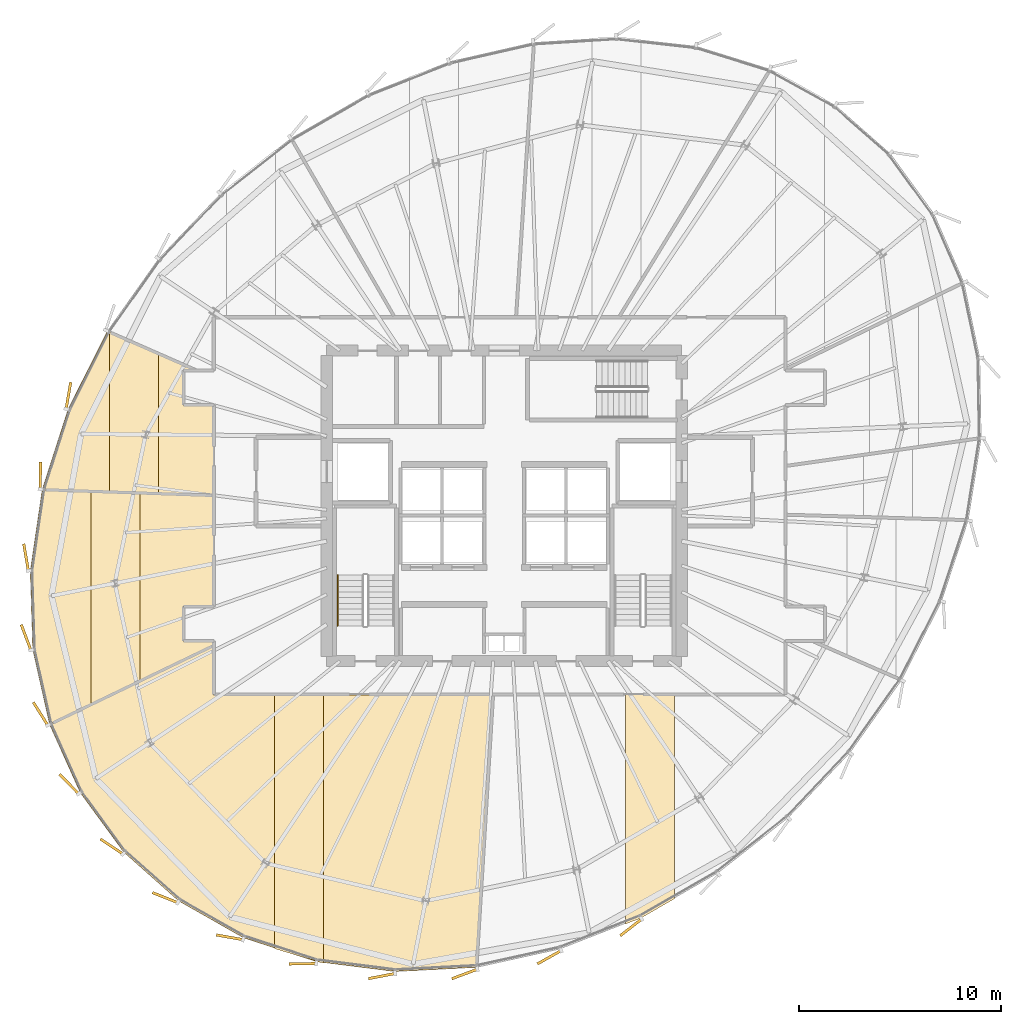
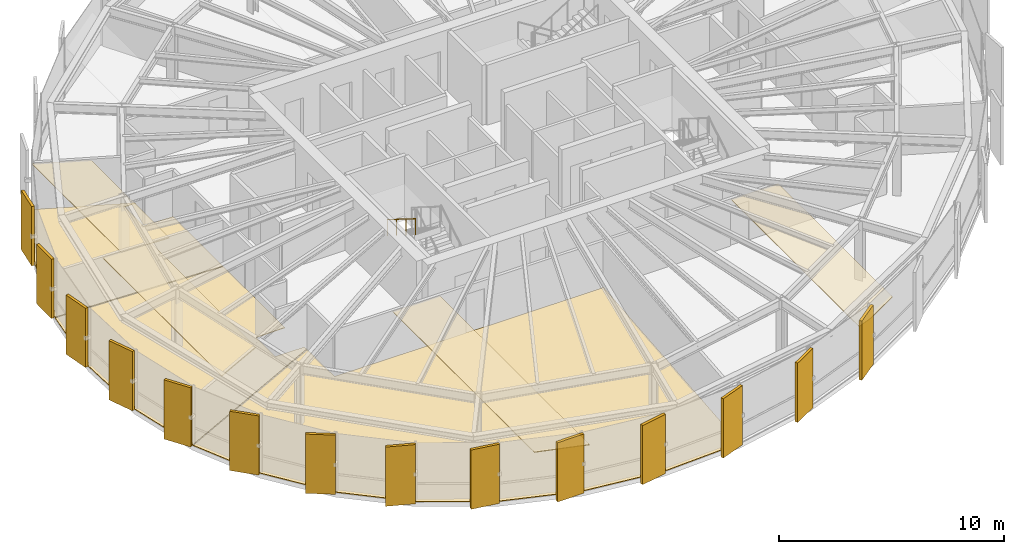
# One storey, part 33 of 35: 21 coverings, 1 railing.
"""IFC4 building model written with IfcOpenShell, lengths in metres."""

from ifc_helpers import new_model, si_unit, direction, frame, origin, origin_2d, place, context, subcontext, project, spatial, polyline, rectangle, circle, outline, extrude, source, transform, mapped, material, layer, layer_set, type_object, element, save


model = new_model("IFC4")

# Units and contexts
model_context = context("Model", 3, precision=1e-05, world=origin(), true_north=direction((0.0, 1.0)))
body_context = subcontext(model_context, "Body", "Model", "MODEL_VIEW")
ifc_project = project(units=[si_unit("LENGTHUNIT", "METRE"), si_unit("AREAUNIT", "SQUARE_METRE"), si_unit("VOLUMEUNIT", "CUBIC_METRE"), si_unit("PLANEANGLEUNIT", "RADIAN"), si_unit("MASSUNIT", "GRAM", prefix="KILO"), si_unit("THERMODYNAMICTEMPERATUREUNIT", "KELVIN")], contexts=[model_context])

# Site, building, storey
site_placement = place(None, origin())
site = spatial("IfcSite", under=ifc_project, at=site_placement, CompositionType="ELEMENT")
building_placement = place(site_placement, origin())
building = spatial("IfcBuilding", under=site, at=building_placement, Name="Kethvar Cultural Tower", CompositionType="ELEMENT")
storey_placement = place(building_placement, frame((0.0, 0.0, 204.39990234375)))
storey = spatial("IfcBuildingStorey", under=building, at=storey_placement, Name="L53", CompositionType="ELEMENT", Elevation=204.39990234375)

# Coverings
ifc_material_1 = material(Name="Acoustic Mineral Fibre Ceiling")
ifc_layer_1 = layer(ifc_material_1, 0.0400390625, Name="Acoustic Mineral Fibre Ceiling")
ifc_layer_set_1 = layer_set([ifc_layer_1], Name="Acoustic Mineral Fibre Ceiling (40 mm)")
covering_type_1 = type_object("IfcCoveringType", Name="CV-ACOUSTIC-CEIL", PredefinedType="CEILING", material=ifc_layer_set_1)
covering_1_placement = place(storey_placement, frame((0.0, 0.0, 2.4501953125)))
element("IfcCovering", 1, at=covering_1_placement, inside=storey, type_object=covering_type_1, Name="L53 Room 01 Acoustic Ceiling Panel", PredefinedType="CEILING", context=body_context, shape_type="SweptSolid", body=[
    extrude(outline(polyline([(37.837890625, 5.123291015625), (35.407958984375, 5.84619140625), (35.407958984375, 18.469970703125), (37.837890625, 18.469970703125), (37.837890625, 5.123291015625)])), origin(), (0.0, 0.0, 1.0), 0.039794921875),
])
covering_2_placement = place(storey_placement, frame((0.0, 0.0, 2.4501953125)))
element("IfcCovering", 2, at=covering_2_placement, inside=storey, type_object=covering_type_1, Name="L53 Room 02 Acoustic Ceiling Panel", PredefinedType="CEILING", context=body_context, shape_type="SweptSolid", body=[
    extrude(outline(polyline([(53.585693359375, 7.3662109375), (52.813720703125, 7.063720703125), (52.813720703125, 18.469970703125), (55.243896484375, 18.469970703125), (55.243896484375, 8.320068359375), (53.585693359375, 7.3662109375)])), origin(), (0.0, 0.0, 1.0), 0.039794921875),
])
covering_3_placement = place(storey_placement, frame((0.0, 0.0, 2.4501953125)))
element("IfcCovering", 3, at=covering_3_placement, inside=storey, type_object=covering_type_1, Name="L53 Room 10 Acoustic Ceiling Panel", PredefinedType="CEILING", context=body_context, shape_type="SweptSolid", body=[
    extrude(outline(polyline([(29.658447265625, 35.36767578125), (29.658447265625, 28.388427734375), (27.228515625, 28.474609375), (27.228515625, 36.4375), (29.658447265625, 35.36767578125)])), origin(), (0.0, 0.0, 1.0), 0.039794921875),
])
covering_4_placement = place(storey_placement, frame((0.0, 0.0, 2.4501953125)))
element("IfcCovering", 4, at=covering_4_placement, inside=storey, type_object=covering_type_1, Name="L53 Room 11 Acoustic Ceiling Panel", PredefinedType="CEILING", context=body_context, shape_type="SweptSolid", body=[
    extrude(outline(polyline([(28.7421875, 28.4609375), (28.7421875, 19.092529296875), (26.312255859375, 17.923583984375), (26.312255859375, 28.547119140625), (28.7421875, 28.4609375)])), origin(), (0.0, 0.0, 1.0), 0.039794921875),
])
ifc_material_2 = material(Name="Honed Warm Limestone", Category="masonry")
ifc_layer_2 = layer(ifc_material_2, 0.030029296875, Name="Honed Warm Limestone", Category="masonry")
ifc_layer_set_2 = layer_set([ifc_layer_2], Name="Honed Warm Limestone (30 mm)")
covering_type_2 = type_object("IfcCoveringType", Name="CV-STONE-FLOOR", PredefinedType="FLOORING", material=ifc_layer_set_2)
covering_5_placement = place(storey_placement, origin())
element("IfcCovering", 5, at=covering_5_placement, inside=storey, type_object=covering_type_2, Name="L53 Room 01 Floor Finish", PredefinedType="FLOORING", context=body_context, shape_type="SweptSolid", body=[
    extrude(outline(polyline([(41.39111328125, 4.71484375), (37.4970703125, 5.20654296875), (33.885498046875, 6.384765625), (30.66650390625, 8.21337890625), (27.93798828125, 10.63671875), (25.781982421875, 13.58154296875), (24.271484375, 16.942138671875), (32.3798828125, 20.84228515625), (32.39599609375, 18.430419921875), (46.228515625, 18.429931640625), (45.433837890625, 4.923583984375), (41.39111328125, 4.71484375)])), origin(), (0.0, 0.0, 1.0), 0.030029296875),
])
covering_6_placement = place(storey_placement, origin())
element("IfcCovering", 6, at=covering_6_placement, inside=storey, type_object=covering_type_2, Name="L53 Room 10 Floor Finish", PredefinedType="FLOORING", context=body_context, shape_type="SweptSolid", body=[
    extrude(outline(polyline([(23.906494140625, 28.632568359375), (25.185546875, 32.605712890625), (27.12109375, 36.44091796875), (31.48486328125, 34.52001953125), (30.880859375, 34.505859375), (30.880126953125, 32.798095703125), (32.3798828125, 32.780029296875), (32.3798828125, 28.331787109375), (23.906494140625, 28.632568359375)])), origin(), (0.0, 0.0, 1.0), 0.030029296875),
])
covering_7_placement = place(storey_placement, origin())
element("IfcCovering", 7, at=covering_7_placement, inside=storey, type_object=covering_type_2, Name="L53 Room 11 Floor Finish", PredefinedType="FLOORING", context=body_context, shape_type="SweptSolid", body=[
    extrude(outline(polyline([(23.431396484375, 20.664306640625), (23.30810546875, 24.587890625), (23.896484375, 28.593017578125), (32.3798828125, 28.291748046875), (32.3798828125, 22.820068359375), (30.8798828125, 22.800048828125), (30.884521484375, 21.08740234375), (32.3798828125, 21.080078125), (32.3798828125, 20.88671875), (24.259521484375, 16.980712890625), (23.431396484375, 20.664306640625)])), origin(), (0.0, 0.0, 1.0), 0.030029296875),
])

# Railing
ifc_material_3 = material(Name="Steel S355J2", Category="steel")
railing_type = type_object("IfcRailingType", Name="RL-STAIR-HANDRAIL", PredefinedType="HANDRAIL", material=ifc_material_3)
railing_placement = place(storey_placement, frame((38.5400390625, 24.3701171875, 1.925048828125)))
element("IfcRailing", 8, at=railing_placement, inside=storey, type_object=railing_type, Name="L53 ST-01 stair handrail 2", PredefinedType="HANDRAIL", context=body_context, shape_type="SweptSolid", body=[
    extrude(circle(Radius=0.02392578125, at=origin_2d()), frame((0.0, 0.0, 0.8759765625), z_axis=(0.0, -0.848007534815, 0.529984170421), x_axis=(1.0, 0.0, 0.0)), (0.0, 0.0, 1.0), 2.9716796875),
    extrude(circle(Radius=0.02099609375, at=origin_2d()), origin(), (0.0, 0.0, 1.0), 0.851806640625),
    extrude(circle(Radius=0.02099609375, at=origin_2d()), frame((0.0, -0.840087890625, 0.52490234375)), (0.0, 0.0, 1.0), 0.851806640625),
    extrude(circle(Radius=0.02099609375, at=origin_2d()), frame((0.0, -1.679931640625, 1.050048828125)), (0.0, 0.0, 1.0), 0.851806640625),
    extrude(circle(Radius=0.02099609375, at=origin_2d()), frame((0.0, -2.52001953125, 1.574951171875)), (0.0, 0.0, 1.0), 0.851806640625),
])

# Coverings
ifc_material_4 = material(Name="Extruded Architectural Terracotta", Category="masonry")
ifc_layer_3 = layer(ifc_material_4, 0.135009765625, Name="Extruded Architectural Terracotta", Category="masonry")
ifc_layer_set_3 = layer_set([ifc_layer_3], Name="Extruded Architectural Terracotta (135 mm)")
covering_type_3 = type_object("IfcCoveringType", Name="Terracotta Facade Fin FIN-03", PredefinedType="CLADDING", material=ifc_layer_set_3)
shared_shape = source(origin(), body_context, "Body", "SweptSolid", [
    extrude(rectangle(XDim=1.35009765625, YDim=0.135009765625, at=origin_2d()), origin(), (0.0, 0.0, 1.0), 3.219970703125),
])
for number, where, z_axis, x_axis, name in (
    (9, (25.194091796875, 33.265869140625, 0.02001953125), (0.0, 0.0, 1.0), (0.170897402123, 0.985288829708, 0.0), "L53 Vertical Terracotta Fin 3.1"),
    (10, (23.804443359375, 29.300048828125, 0.02001953125), (0.0, 0.0, 1.0), (0.006283143966, 0.999980260856, 0.0), "L53 Vertical Terracotta Fin 3.2"),
    (11, (23.09326171875, 25.251708984375, 0.02001953125), (0.0, 0.0, 1.0), (-0.170209499166, 0.985407898483, 0.0), "L53 Vertical Terracotta Fin 3.3"),
    (12, (23.09521484375, 21.27587890625, 0.02001953125), (0.0, 0.0, 1.0), (-0.352984997999, 0.935628981588, 0.0), "L53 Vertical Terracotta Fin 3.4"),
    (13, (23.812744140625, 17.490234375, 0.02001953125), (0.0, 0.0, 1.0), (-0.532876276071, 0.846193166128, 0.0), "L53 Vertical Terracotta Fin 3.5"),
    (14, (25.2294921875, 14.008056640625, 0.02001953125), (0.0, 0.0, 1.0), (-0.697290216741, 0.716788918467, 0.0), "L53 Vertical Terracotta Fin 3.6"),
    (15, (27.3369140625, 10.9111328125, 0.02001953125), (0.0, 0.0, 1.0), (-0.832824642979, 0.553536912995, 0.0), "L53 Vertical Terracotta Fin 4.1"),
    (16, (29.98779296875, 8.3759765625, 0.02001953125), (0.0, 0.0, 1.0), (-0.929776485888, 0.368124552685, 0.0), "L53 Vertical Terracotta Fin 4.2"),
    (17, (33.18798828125, 6.408447265625, 0.02001953125), (0.0, 0.0, 1.0), (-0.98459486682, 0.174851217417, 0.0), "L53 Vertical Terracotta Fin 4.3"),
    (18, (36.8076171875, 5.09814453125, 0.02001953125), (0.0, 0.0, 1.0), (-0.999902524009, -0.013962180339, 0.0), "L53 Vertical Terracotta Fin 4.4"),
    (19, (40.73193359375, 4.486572265625, 0.02001953125), (0.0, 0.0, 1.0), (-0.981760154029, -0.190123643878, 0.0), "L53 Vertical Terracotta Fin 4.5"),
    (20, (44.83740234375, 4.590576171875, 0.02001953125), (0.0, 0.0, 1.0), (-0.937038411905, -0.349226308593, 0.0), "L53 Vertical Terracotta Fin 4.6"),
    (21, (49.033447265625, 5.41845703125, 0.02001953125), (0.0, 0.0, 1.0), (-0.871385115776, -0.490599612724, 0.0), "L53 Vertical Terracotta Fin 5.1"),
    (22, (53.0830078125, 6.8994140625, 0.02001953125), (0.0, 0.0, 1.0), (-0.788976859824, -0.614422911896, 0.0), "L53 Vertical Terracotta Fin 5.2"),
):
    element("IfcCovering", number, at=place(storey_placement, frame(where, z_axis=z_axis, x_axis=x_axis)), inside=storey, type_object=covering_type_3, Name=name, PredefinedType="CLADDING", context=body_context, shape_type="MappedRepresentation", body=[
        mapped(shared_shape, transform((0.0, 0.0, 0.0), scale=1.0)),
    ])

save(model, "model.ifc")
